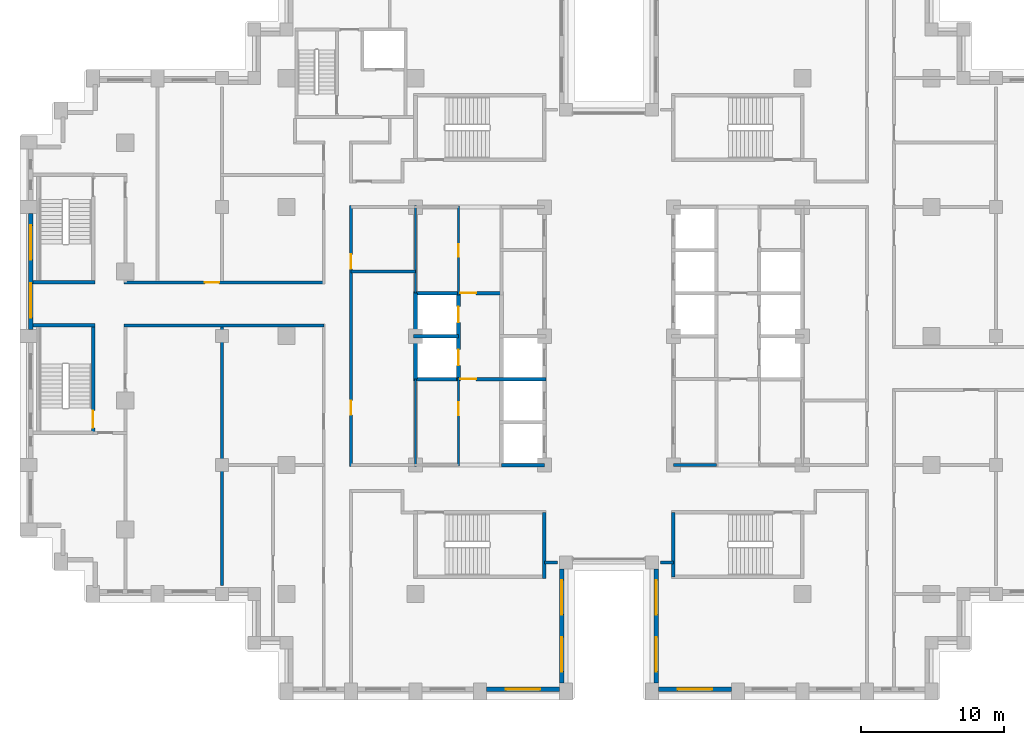
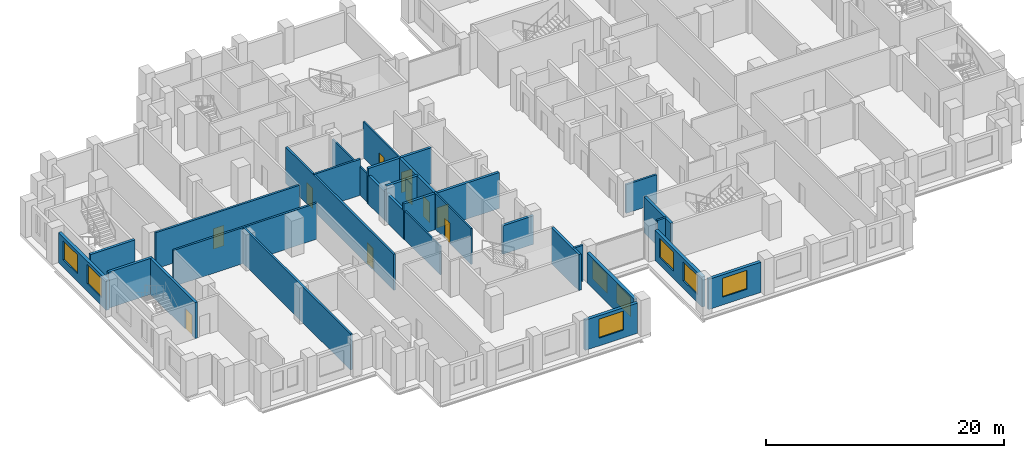
# One storey, part 7 of 15: 28 walls, 10 doors, 8 windows, 18 openings.
"""IFC4 building model written with IfcOpenShell, lengths in metres."""

import ifcopenshell
import ifcopenshell.guid

model = None  # the IFC model being written
_history = None  # IfcOwnerHistory: only IFC2X3 demands one
_inside = {}  # id of a spatial element -> (the spatial element, [elements in it])
_under = {}  # id of a project, library or spatial element -> (it, [spatial elements below it])
_declared = {}  # id of a project -> (the project, [libraries it declares])
_typed = {}  # id of a type object -> (the type object, [elements of that type])
_made_of = {}  # id of a material, layer set ... -> (it, [elements and type objects made of it])


def new_model(schema):
    """Start an empty IFC model of exactly this schema.

    Asked for "IFC4X3", IfcOpenShell would pick the latest addendum, in which some entities
    have other attributes; the version numbers below select the first issue.
    IFC2X3 requires an IfcOwnerHistory on every rooted entity: one is made here for all.
    """
    global model, _history
    if schema == "IFC4X3":
        model = ifcopenshell.file(schema_version=(4, 3, 0, 0))
    else:
        model = ifcopenshell.file(schema=schema)
    _inside.clear()
    _under.clear()
    _declared.clear()
    _typed.clear()
    _made_of.clear()
    _history = None
    if model.schema == "IFC2X3":
        org = make("IfcOrganization", Name="unknown")
        user = make(
            "IfcPersonAndOrganization",
            ThePerson=make("IfcPerson", FamilyName="unknown"),
            TheOrganization=org,
        )
        app = make(
            "IfcApplication",
            ApplicationDeveloper=org,
            Version="unknown",
            ApplicationFullName="unknown",
            ApplicationIdentifier="unknown",
        )
        _history = make(
            "IfcOwnerHistory",
            OwningUser=user,
            OwningApplication=app,
            ChangeAction="ADDED",
            CreationDate=0,
        )
    return model


def make(cls, **values):
    """One entity of the class cls with the attributes given. An attribute that is None is left unset."""
    return model.create_entity(
        cls, **{name: value for name, value in values.items() if value is not None}
    )


def rooted(cls, **values):
    """An entity with a GlobalId (a new one), such as an element, a storey or a relation."""
    return make(cls, GlobalId=ifcopenshell.guid.new(), OwnerHistory=_history, **values)


def si_unit(unit_type, name, prefix=None):
    """IfcSIUnit, for example si_unit("LENGTHUNIT", "METRE", prefix="MILLI")."""
    return make("IfcSIUnit", UnitType=unit_type, Prefix=prefix, Name=name)


def assignment(units):
    """IfcUnitAssignment: the units of a project."""
    return None if units is None else make("IfcUnitAssignment", Units=units)


def point(xyz):
    """IfcCartesianPoint."""
    return None if xyz is None else make("IfcCartesianPoint", Coordinates=xyz)


def direction(xyz):
    """IfcDirection."""
    return None if xyz is None else make("IfcDirection", DirectionRatios=xyz)


def frame(location, z_axis=None, x_axis=None):
    """IfcAxis2Placement3D, a coordinate frame: its origin and axes. An axis left out is left unset."""
    return make(
        "IfcAxis2Placement3D",
        Location=point(location),
        Axis=direction(z_axis),
        RefDirection=direction(x_axis),
    )


def frame_2d(location, x_axis=None):
    """IfcAxis2Placement2D, a coordinate frame in the plane: its origin and x axis."""
    return make(
        "IfcAxis2Placement2D", Location=point(location), RefDirection=direction(x_axis)
    )


def origin():
    """The frame at (0, 0, 0) with its axes left unset."""
    return frame((0.0, 0.0, 0.0))


def place(relative_to, where):
    """IfcLocalPlacement: puts the frame where relative to a parent placement (None: the world)."""
    return make(
        "IfcLocalPlacement", PlacementRelTo=relative_to, RelativePlacement=where
    )


def context(
    kind, dimensions, precision=None, world=None, true_north=None, identifier=None
):
    """IfcGeometricRepresentationContext, for example the 3D "Model" context."""
    return make(
        "IfcGeometricRepresentationContext",
        ContextIdentifier=identifier,
        ContextType=kind,
        CoordinateSpaceDimension=dimensions,
        Precision=precision,
        WorldCoordinateSystem=world,
        TrueNorth=true_north,
    )


def subcontext(parent, identifier, kind, view, scale=None):
    """IfcGeometricRepresentationSubContext, for example "Body" below "Model"."""
    return make(
        "IfcGeometricRepresentationSubContext",
        ContextIdentifier=identifier,
        ContextType=kind,
        ParentContext=parent,
        TargetScale=scale,
        TargetView=view,
    )


def project(units=None, contexts=None):
    """IfcProject with its units and contexts."""
    return rooted(
        "IfcProject",
        Name="project",
        RepresentationContexts=contexts,
        UnitsInContext=assignment(units),
    )


def spatial(cls, under=None, at=None, **own):
    """A site, building, storey or space (cls), placed at a placement, below another one or the project."""
    s = rooted(cls, ObjectPlacement=at, **own)
    if under is not None:
        _under.setdefault(under.id(), (under, []))[1].append(s)
    return s


def profile(cls, at=None, kind="AREA", **sizes):
    """A parametric profile (cls). Its sizes go by their IFC names, for example OverallWidth=200.0."""
    return make(cls, ProfileType=kind, Position=at, **sizes)


def rectangle(**sizes):
    """IfcRectangleProfileDef."""
    return profile("IfcRectangleProfileDef", **sizes)


def extrude(swept, where, along, depth):
    """IfcExtrudedAreaSolid: the profile swept, set in the frame where, extruded along a direction by depth."""
    return make(
        "IfcExtrudedAreaSolid",
        SweptArea=swept,
        Position=where,
        ExtrudedDirection=direction(along),
        Depth=depth,
    )


def shape(context_of_items, identifier, shape_type, items):
    """IfcShapeRepresentation: the items that make up one representation, for example the "Body"."""
    return make(
        "IfcShapeRepresentation",
        ContextOfItems=context_of_items,
        RepresentationIdentifier=identifier,
        RepresentationType=shape_type,
        Items=items,
    )


def material(Name=None, Category=None):
    """IfcMaterial."""
    return make("IfcMaterial", Name=Name, Category=Category)


def layer(
    of_material, thickness, ventilated=None, Name=None, Category=None, Priority=None
):
    """IfcMaterialLayer: one layer of a wall or slab, of a material (None: an air gap)."""
    return make(
        "IfcMaterialLayer",
        Material=of_material,
        LayerThickness=thickness,
        IsVentilated=ventilated,
        Name=Name,
        Category=Category,
        Priority=Priority,
    )


def layer_set(layers, Name=None):
    """IfcMaterialLayerSet."""
    return make("IfcMaterialLayerSet", MaterialLayers=layers, LayerSetName=Name)


def made_of(thing, what):
    """Note that an element or type object is made of a material, layer set ...; save() writes the relation."""
    if what is not None:
        _made_of.setdefault(what.id(), (what, []))[1].append(thing)
    return thing


def type_object(cls, material=None, **own):
    """A type object (cls), such as IfcWallType, which elements share."""
    return made_of(rooted(cls, **own), material)


def element(
    cls,
    number,
    at=None,
    inside=None,
    cuts=None,
    type_object=None,
    material=None,
    context=None,
    identifier="Body",
    shape_type=None,
    held_by="IfcProductDefinitionShape",
    body=None,
    shapes=None,
    **own,
):
    """One element of the class cls, such as IfcWall. Its Tag is "e" and its number.

    at: its placement. inside: the storey or other place that contains it. cuts: it is an
    opening in that element (IfcRelVoidsElement). A single representation is given by context,
    identifier, shape_type and body (its items); several are given by shapes. held_by: the class
    of the entity that holds the representations. save() writes the other relations.
    """
    e = rooted(cls, Tag="e%d" % number, ObjectPlacement=at, **own)
    if body is not None:
        shapes = [shape(context, identifier, shape_type, body)]
    if shapes is not None:
        e.Representation = make(held_by, Representations=shapes)
    if inside is not None:
        _inside.setdefault(inside.id(), (inside, []))[1].append(e)
    if cuts is not None:
        rooted(
            "IfcRelVoidsElement", RelatingBuildingElement=cuts, RelatedOpeningElement=e
        )
    if type_object is not None:
        _typed.setdefault(type_object.id(), (type_object, []))[1].append(e)
    return made_of(e, material)


def fill(opening, filler):
    """IfcRelFillsElement: the door or window that sits in an opening."""
    return rooted(
        "IfcRelFillsElement",
        RelatingOpeningElement=opening,
        RelatedBuildingElement=filler,
    )


def aggregate(whole, parts):
    """IfcRelAggregates: a whole, such as a stair, and the parts it consists of."""
    return rooted("IfcRelAggregates", RelatingObject=whole, RelatedObjects=parts)


def save(model, path):
    """Write the relations noted so far, then the file.

    IfcRelAggregates (storeys below a building ...), IfcRelContainedInSpatialStructure (elements
    in a storey), IfcRelDefinesByType, IfcRelAssociatesMaterial and IfcRelDeclares: one each for
    every whole, place, type object, material and project.
    """
    for whole, parts in _under.values():
        aggregate(whole, parts)
    for where, things in _inside.values():
        rooted(
            "IfcRelContainedInSpatialStructure",
            RelatedElements=things,
            RelatingStructure=where,
        )
    for kind, things in _typed.values():
        rooted("IfcRelDefinesByType", RelatedObjects=things, RelatingType=kind)
    for what, things in _made_of.values():
        rooted("IfcRelAssociatesMaterial", RelatedObjects=things, RelatingMaterial=what)
    for by, libraries in _declared.values():
        rooted("IfcRelDeclares", RelatingContext=by, RelatedDefinitions=libraries)
    model.write(path)


model = new_model("IFC4")

# Units and contexts
model_context = context("Model", 3, precision=1e-05, world=origin(), true_north=direction((0.0, 1.0)))
body_context = subcontext(model_context, "Body", "Model", "MODEL_VIEW")
ifc_project = project(units=[si_unit("LENGTHUNIT", "METRE"), si_unit("AREAUNIT", "SQUARE_METRE"), si_unit("VOLUMEUNIT", "CUBIC_METRE"), si_unit("PLANEANGLEUNIT", "RADIAN"), si_unit("MASSUNIT", "GRAM", prefix="KILO")], contexts=[model_context])

# Site, building, storey
site_placement = place(None, origin())
site = spatial("IfcSite", under=ifc_project, at=site_placement, CompositionType="ELEMENT")
building_placement = place(site_placement, origin())
building = spatial("IfcBuilding", under=site, at=building_placement, Name="Corbelhall Arena Tower", CompositionType="ELEMENT")
storey_placement = place(building_placement, frame((0.0, 0.0, 92.0)))
storey = spatial("IfcBuildingStorey", under=building, at=storey_placement, Name="L15", CompositionType="ELEMENT", Elevation=92.0)

# Wall, openings, windows
ifc_material_1 = material(Name="Precast concrete C40/50 with granite facing", Category="masonry")
ifc_layer_1 = layer(ifc_material_1, 0.300048828125)
ifc_layer_set_1 = layer_set([ifc_layer_1], Name="EV-IW1 Infill panel 300")
wall_type_1 = type_object("IfcWallType", Name="EV-IW1 Infill panel 300", PredefinedType="SOLIDWALL", material=ifc_layer_set_1)
wall_1_placement = place(storey_placement, frame((-40.35009765625, 8.550048828125, 0.0), z_axis=(0.0, 0.0, 1.0), x_axis=(0.0, -1.0, 0.0)))
wall_1 = element("IfcWall", 1, at=wall_1_placement, inside=storey, type_object=wall_type_1, Name="Infill panel IW1", PredefinedType="SOLIDWALL", context=body_context, shape_type="SweptSolid", body=[
    extrude(rectangle(XDim=8.10009765625, YDim=0.300048828125, at=frame_2d((4.050048828125, 0.0))), origin(), (0.0, 0.0, 1.0), 3.10009765625),
])
opening_1_placement = place(wall_1_placement, frame((0.824951171875, 0.0, 0.800048828125)))
opening_1 = element("IfcOpeningElement", 2, at=opening_1_placement, cuts=wall_1, Name="Opening WN1", PredefinedType="OPENING", context=body_context, shape_type="SweptSolid", body=[
    extrude(rectangle(XDim=2.39990234375, YDim=1.949951171875, at=frame_2d((1.199951171875, 0.97509765625))), frame((0.0, 0.14990234375, 0.0), z_axis=(0.0, -1.0, 0.0), x_axis=(1.0, 0.0, 0.0)), (0.0, 0.0, 1.0), 0.300048828125),
])
opening_2_placement = place(wall_1_placement, frame((4.875, 0.0, 0.800048828125)))
opening_2 = element("IfcOpeningElement", 3, at=opening_2_placement, cuts=wall_1, Name="Opening WN1", PredefinedType="OPENING", context=body_context, shape_type="SweptSolid", body=[
    extrude(rectangle(XDim=2.39990234375, YDim=1.949951171875, at=frame_2d((1.199951171875, 0.97509765625))), frame((0.0, 0.14990234375, 0.0), z_axis=(0.0, -1.0, 0.0), x_axis=(1.0, 0.0, 0.0)), (0.0, 0.0, 1.0), 0.300048828125),
])
ifc_material_2 = material(Name="Aluminium black anodised", Category="aluminium")
window_type = type_object("IfcWindowType", Name="EV-WN1 Office window", PartitioningType="SINGLE_PANEL", PredefinedType="WINDOW", material=ifc_material_2)
window_1_placement = place(opening_1_placement, origin())
window_1 = element("IfcWindow", 4, at=window_1_placement, inside=storey, type_object=window_type, Name="Window WN1", OverallHeight=1.949951171875, OverallWidth=2.39990234375, PartitioningType="SINGLE_PANEL", PredefinedType="WINDOW", context=body_context, shape_type="SweptSolid", body=[
    extrude(rectangle(XDim=2.39990234375, YDim=1.949951171875, at=frame_2d((1.199951171875, 0.97509765625))), frame((0.0, 0.030029296875, 0.0), z_axis=(0.0, -1.0, 0.0), x_axis=(1.0, 0.0, 0.0)), (0.0, 0.0, 1.0), 0.06005859375),
])
fill(opening_1, window_1)
window_2_placement = place(opening_2_placement, origin())
window_2 = element("IfcWindow", 5, at=window_2_placement, inside=storey, type_object=window_type, Name="Window WN1", OverallHeight=1.949951171875, OverallWidth=2.39990234375, PartitioningType="SINGLE_PANEL", PredefinedType="WINDOW", context=body_context, shape_type="SweptSolid", body=[
    extrude(rectangle(XDim=2.39990234375, YDim=1.949951171875, at=frame_2d((1.199951171875, 0.97509765625))), frame((0.0, 0.030029296875, 0.0), z_axis=(0.0, -1.0, 0.0), x_axis=(1.0, 0.0, 0.0)), (0.0, 0.0, 1.0), 0.06005859375),
])
fill(opening_2, window_2)

# Wall, opening, window
wall_2_placement = place(storey_placement, frame((-8.550048828125, -24.64990234375, 0.0), z_axis=(0.0, 0.0, 1.0), x_axis=(1.0, 0.0, 0.0)))
wall_2 = element("IfcWall", 6, at=wall_2_placement, inside=storey, type_object=wall_type_1, Name="Infill panel IW1", PredefinedType="SOLIDWALL", context=body_context, shape_type="SweptSolid", body=[
    extrude(rectangle(XDim=5.10009765625, YDim=0.300048828125, at=frame_2d((2.550048828125, 0.0))), origin(), (0.0, 0.0, 1.0), 3.10009765625),
])
opening_3_placement = place(wall_2_placement, frame((1.35009765625, 0.0, 0.800048828125)))
opening_3 = element("IfcOpeningElement", 7, at=opening_3_placement, cuts=wall_2, Name="Opening WN1", PredefinedType="OPENING", context=body_context, shape_type="SweptSolid", body=[
    extrude(rectangle(XDim=2.39990234375, YDim=1.949951171875, at=frame_2d((1.199951171875, 0.97509765625))), frame((0.0, 0.14990234375, 0.0), z_axis=(0.0, -1.0, 0.0), x_axis=(1.0, 0.0, 0.0)), (0.0, 0.0, 1.0), 0.300048828125),
])
window_3_placement = place(opening_3_placement, origin())
window_3 = element("IfcWindow", 8, at=window_3_placement, inside=storey, type_object=window_type, Name="Window WN1", OverallHeight=1.949951171875, OverallWidth=2.39990234375, PartitioningType="SINGLE_PANEL", PredefinedType="WINDOW", context=body_context, shape_type="SweptSolid", body=[
    extrude(rectangle(XDim=2.39990234375, YDim=1.949951171875, at=frame_2d((1.199951171875, 0.97509765625))), frame((0.0, 0.030029296875, 0.0), z_axis=(0.0, -1.0, 0.0), x_axis=(1.0, 0.0, 0.0)), (0.0, 0.0, 1.0), 0.06005859375),
])
fill(opening_3, window_3)

# Wall, openings, windows
wall_3_placement = place(storey_placement, frame((-3.300048828125, -24.199951171875, 0.0), z_axis=(0.0, 0.0, 1.0), x_axis=(0.0, 1.0, 0.0)))
wall_3 = element("IfcWall", 9, at=wall_3_placement, inside=storey, type_object=wall_type_1, Name="Infill panel IW1", PredefinedType="SOLIDWALL", context=body_context, shape_type="SweptSolid", body=[
    extrude(rectangle(XDim=7.949951171875, YDim=0.300048828125, at=frame_2d((3.97509765625, 0.0))), origin(), (0.0, 0.0, 1.0), 3.10009765625),
])
opening_4_placement = place(wall_3_placement, frame((0.78759765625, 0.0, 0.800048828125)))
opening_4 = element("IfcOpeningElement", 10, at=opening_4_placement, cuts=wall_3, Name="Opening WN1", PredefinedType="OPENING", context=body_context, shape_type="SweptSolid", body=[
    extrude(rectangle(XDim=2.39990234375, YDim=1.949951171875, at=frame_2d((1.199951171875, 0.97509765625))), frame((0.0, 0.14990234375, 0.0), z_axis=(0.0, -1.0, 0.0), x_axis=(1.0, 0.0, 0.0)), (0.0, 0.0, 1.0), 0.300048828125),
])
opening_5_placement = place(wall_3_placement, frame((4.762451171875, 0.0, 0.800048828125)))
opening_5 = element("IfcOpeningElement", 11, at=opening_5_placement, cuts=wall_3, Name="Opening WN1", PredefinedType="OPENING", context=body_context, shape_type="SweptSolid", body=[
    extrude(rectangle(XDim=2.39990234375, YDim=1.949951171875, at=frame_2d((1.199951171875, 0.97509765625))), frame((0.0, 0.14990234375, 0.0), z_axis=(0.0, -1.0, 0.0), x_axis=(1.0, 0.0, 0.0)), (0.0, 0.0, 1.0), 0.300048828125),
])
window_4_placement = place(opening_4_placement, origin())
window_4 = element("IfcWindow", 12, at=window_4_placement, inside=storey, type_object=window_type, Name="Window WN1", OverallHeight=1.949951171875, OverallWidth=2.39990234375, PartitioningType="SINGLE_PANEL", PredefinedType="WINDOW", context=body_context, shape_type="SweptSolid", body=[
    extrude(rectangle(XDim=2.39990234375, YDim=1.949951171875, at=frame_2d((1.199951171875, 0.97509765625))), frame((0.0, 0.030029296875, 0.0), z_axis=(0.0, -1.0, 0.0), x_axis=(1.0, 0.0, 0.0)), (0.0, 0.0, 1.0), 0.06005859375),
])
fill(opening_4, window_4)
window_5_placement = place(opening_5_placement, origin())
window_5 = element("IfcWindow", 13, at=window_5_placement, inside=storey, type_object=window_type, Name="Window WN1", OverallHeight=1.949951171875, OverallWidth=2.39990234375, PartitioningType="SINGLE_PANEL", PredefinedType="WINDOW", context=body_context, shape_type="SweptSolid", body=[
    extrude(rectangle(XDim=2.39990234375, YDim=1.949951171875, at=frame_2d((1.199951171875, 0.97509765625))), frame((0.0, 0.030029296875, 0.0), z_axis=(0.0, -1.0, 0.0), x_axis=(1.0, 0.0, 0.0)), (0.0, 0.0, 1.0), 0.06005859375),
])
fill(opening_5, window_5)

wall_4_placement = place(storey_placement, frame((3.300048828125, -16.25, 0.0), z_axis=(0.0, 0.0, 1.0), x_axis=(0.0, -1.0, 0.0)))
wall_4 = element("IfcWall", 14, at=wall_4_placement, inside=storey, type_object=wall_type_1, Name="Infill panel IW1", PredefinedType="SOLIDWALL", context=body_context, shape_type="SweptSolid", body=[
    extrude(rectangle(XDim=7.949951171875, YDim=0.300048828125, at=frame_2d((3.97509765625, 0.0))), origin(), (0.0, 0.0, 1.0), 3.10009765625),
])
opening_6_placement = place(wall_4_placement, frame((0.78759765625, 0.0, 0.800048828125)))
opening_6 = element("IfcOpeningElement", 15, at=opening_6_placement, cuts=wall_4, Name="Opening WN1", PredefinedType="OPENING", context=body_context, shape_type="SweptSolid", body=[
    extrude(rectangle(XDim=2.39990234375, YDim=1.949951171875, at=frame_2d((1.199951171875, 0.97509765625))), frame((0.0, 0.14990234375, 0.0), z_axis=(0.0, -1.0, 0.0), x_axis=(1.0, 0.0, 0.0)), (0.0, 0.0, 1.0), 0.300048828125),
])
opening_7_placement = place(wall_4_placement, frame((4.762451171875, 0.0, 0.800048828125)))
opening_7 = element("IfcOpeningElement", 16, at=opening_7_placement, cuts=wall_4, Name="Opening WN1", PredefinedType="OPENING", context=body_context, shape_type="SweptSolid", body=[
    extrude(rectangle(XDim=2.39990234375, YDim=1.949951171875, at=frame_2d((1.199951171875, 0.97509765625))), frame((0.0, 0.14990234375, 0.0), z_axis=(0.0, -1.0, 0.0), x_axis=(1.0, 0.0, 0.0)), (0.0, 0.0, 1.0), 0.300048828125),
])
window_6_placement = place(opening_6_placement, origin())
window_6 = element("IfcWindow", 17, at=window_6_placement, inside=storey, type_object=window_type, Name="Window WN1", OverallHeight=1.949951171875, OverallWidth=2.39990234375, PartitioningType="SINGLE_PANEL", PredefinedType="WINDOW", context=body_context, shape_type="SweptSolid", body=[
    extrude(rectangle(XDim=2.39990234375, YDim=1.949951171875, at=frame_2d((1.199951171875, 0.97509765625))), frame((0.0, 0.030029296875, 0.0), z_axis=(0.0, -1.0, 0.0), x_axis=(1.0, 0.0, 0.0)), (0.0, 0.0, 1.0), 0.06005859375),
])
fill(opening_6, window_6)
window_7_placement = place(opening_7_placement, origin())
window_7 = element("IfcWindow", 18, at=window_7_placement, inside=storey, type_object=window_type, Name="Window WN1", OverallHeight=1.949951171875, OverallWidth=2.39990234375, PartitioningType="SINGLE_PANEL", PredefinedType="WINDOW", context=body_context, shape_type="SweptSolid", body=[
    extrude(rectangle(XDim=2.39990234375, YDim=1.949951171875, at=frame_2d((1.199951171875, 0.97509765625))), frame((0.0, 0.030029296875, 0.0), z_axis=(0.0, -1.0, 0.0), x_axis=(1.0, 0.0, 0.0)), (0.0, 0.0, 1.0), 0.06005859375),
])
fill(opening_7, window_7)

# Wall, opening, window
wall_5_placement = place(storey_placement, frame((3.449951171875, -24.64990234375, 0.0), z_axis=(0.0, 0.0, 1.0), x_axis=(1.0, 0.0, 0.0)))
wall_5 = element("IfcWall", 19, at=wall_5_placement, inside=storey, type_object=wall_type_1, Name="Infill panel IW1", PredefinedType="SOLIDWALL", context=body_context, shape_type="SweptSolid", body=[
    extrude(rectangle(XDim=5.10009765625, YDim=0.300048828125, at=frame_2d((2.550048828125, 0.0))), origin(), (0.0, 0.0, 1.0), 3.10009765625),
])
opening_8_placement = place(wall_5_placement, frame((1.35009765625, 0.0, 0.800048828125)))
opening_8 = element("IfcOpeningElement", 20, at=opening_8_placement, cuts=wall_5, Name="Opening WN1", PredefinedType="OPENING", context=body_context, shape_type="SweptSolid", body=[
    extrude(rectangle(XDim=2.39990234375, YDim=1.949951171875, at=frame_2d((1.199951171875, 0.97509765625))), frame((0.0, 0.14990234375, 0.0), z_axis=(0.0, -1.0, 0.0), x_axis=(1.0, 0.0, 0.0)), (0.0, 0.0, 1.0), 0.300048828125),
])
window_8_placement = place(opening_8_placement, origin())
window_8 = element("IfcWindow", 21, at=window_8_placement, inside=storey, type_object=window_type, Name="Window WN1", OverallHeight=1.949951171875, OverallWidth=2.39990234375, PartitioningType="SINGLE_PANEL", PredefinedType="WINDOW", context=body_context, shape_type="SweptSolid", body=[
    extrude(rectangle(XDim=2.39990234375, YDim=1.949951171875, at=frame_2d((1.199951171875, 0.97509765625))), frame((0.0, 0.030029296875, 0.0), z_axis=(0.0, -1.0, 0.0), x_axis=(1.0, 0.0, 0.0)), (0.0, 0.0, 1.0), 0.06005859375),
])
fill(opening_8, window_8)

# Wall, opening, door
ifc_material_3 = material(Name="Gypsum board on steel stud, acoustic", Category="steel")
ifc_layer_2 = layer(ifc_material_3, 0.199951171875)
ifc_layer_set_2 = layer_set([ifc_layer_2], Name="IN-W-DM200")
wall_type_2 = type_object("IfcWallType", Name="IN-W-DM200", PredefinedType="PARTITIONING", material=ifc_layer_set_2)
wall_6_placement = place(storey_placement, frame((-33.85009765625, 3.75, 0.0), z_axis=(0.0, 0.0, 1.0), x_axis=(1.0, 0.0, 0.0)))
wall_6 = element("IfcWall", 22, at=wall_6_placement, inside=storey, type_object=wall_type_2, Name="Partition 002", PredefinedType="PARTITIONING", context=body_context, shape_type="SweptSolid", body=[
    extrude(rectangle(XDim=13.9501953125, YDim=0.199951171875, at=frame_2d((6.97509765625, 0.0))), origin(), (0.0, 0.0, 1.0), 3.699951171875),
])
opening_9_placement = place(wall_6_placement, frame((5.64990234375, 0.0, 0.0)))
opening_9 = element("IfcOpeningElement", 23, at=opening_9_placement, cuts=wall_6, Name="Opening 03042", PredefinedType="OPENING", context=body_context, shape_type="SweptSolid", body=[
    extrude(rectangle(XDim=1.0, YDim=2.10009765625, at=frame_2d((0.5, 1.050048828125))), frame((0.0, 0.10009765625, 0.0), z_axis=(0.0, -1.0, 0.0), x_axis=(1.0, 0.0, 0.0)), (0.0, 0.0, 1.0), 0.199951171875),
])
ifc_material_4 = material(Name="Steel door set", Category="steel")
door_type_1 = type_object("IfcDoorType", Name="IN-D-SW100", OperationType="NOTDEFINED", PredefinedType="DOOR", material=ifc_material_4)
door_1_placement = place(opening_9_placement, origin())
door_1 = element("IfcDoor", 24, at=door_1_placement, inside=storey, type_object=door_type_1, Name="Door 042", OperationType="SINGLE_SWING_LEFT", OverallHeight=2.10009765625, OverallWidth=1.0, PredefinedType="DOOR", context=body_context, shape_type="SweptSolid", body=[
    extrude(rectangle(XDim=1.0, YDim=2.10009765625, at=frame_2d((0.5, 1.050048828125))), frame((0.0, 0.02490234375, 0.0), z_axis=(0.0, -1.0, 0.0), x_axis=(1.0, 0.0, 0.0)), (0.0, 0.0, 1.0), 0.050048828125),
])
fill(opening_9, door_1)

# Walls
wall_7_placement = place(storey_placement, frame((-27.0, -17.39990234375, 0.0), z_axis=(0.0, 0.0, 1.0), x_axis=(0.0, 1.0, 0.0)))
element("IfcWall", 25, at=wall_7_placement, inside=storey, type_object=wall_type_2, Name="Partition 009", PredefinedType="PARTITIONING", context=body_context, shape_type="SweptSolid", body=[
    extrude(rectangle(XDim=18.14990234375, YDim=0.199951171875, at=frame_2d((9.074951171875, 0.0))), origin(), (0.0, 0.0, 1.0), 3.699951171875),
])
wall_8_placement = place(storey_placement, frame((-19.89990234375, 0.75, 0.0), z_axis=(0.0, 0.0, 1.0), x_axis=(-1.0, 0.0, 0.0)))
element("IfcWall", 26, at=wall_8_placement, inside=storey, type_object=wall_type_2, Name="Partition 011", PredefinedType="PARTITIONING", context=body_context, shape_type="SweptSolid", body=[
    extrude(rectangle(XDim=13.9501953125, YDim=0.199951171875, at=frame_2d((6.97509765625, 0.0))), origin(), (0.0, 0.0, 1.0), 3.699951171875),
])
wall_9_placement = place(storey_placement, frame((-18.0, 4.5, 0.0), z_axis=(0.0, 0.0, 1.0), x_axis=(1.0, 0.0, 0.0)))
element("IfcWall", 27, at=wall_9_placement, inside=storey, type_object=wall_type_2, Name="Partition 019", PredefinedType="PARTITIONING", context=body_context, shape_type="SweptSolid", body=[
    extrude(rectangle(XDim=4.5, YDim=0.199951171875, at=frame_2d((2.25, 0.0))), origin(), (0.0, 0.0, 1.0), 3.699951171875),
])

# Wall, openings, doors
wall_10_placement = place(storey_placement, frame((-18.0, 9.10009765625, 0.0), z_axis=(0.0, 0.0, 1.0), x_axis=(0.0, -1.0, 0.0)))
wall_10 = element("IfcWall", 28, at=wall_10_placement, inside=storey, type_object=wall_type_2, Name="Partition 020", PredefinedType="PARTITIONING", context=body_context, shape_type="SweptSolid", body=[
    extrude(rectangle(XDim=18.2001953125, YDim=0.199951171875, at=frame_2d((9.10009765625, 0.0))), origin(), (0.0, 0.0, 1.0), 3.699951171875),
])
opening_10_placement = place(wall_10_placement, frame((13.60009765625, 0.0, 0.0)))
opening_10 = element("IfcOpeningElement", 29, at=opening_10_placement, cuts=wall_10, Name="Opening 03021", PredefinedType="OPENING", context=body_context, shape_type="SweptSolid", body=[
    extrude(rectangle(XDim=1.0, YDim=2.10009765625, at=frame_2d((0.5, 1.050048828125))), frame((0.0, 0.10009765625, 0.0), z_axis=(0.0, -1.0, 0.0), x_axis=(1.0, 0.0, 0.0)), (0.0, 0.0, 1.0), 0.199951171875),
])
opening_11_placement = place(wall_10_placement, frame((3.39990234375, 0.0, 0.0)))
opening_11 = element("IfcOpeningElement", 30, at=opening_11_placement, cuts=wall_10, Name="Opening 03022", PredefinedType="OPENING", context=body_context, shape_type="SweptSolid", body=[
    extrude(rectangle(XDim=1.0, YDim=2.10009765625, at=frame_2d((0.5, 1.050048828125))), frame((0.0, 0.10009765625, 0.0), z_axis=(0.0, -1.0, 0.0), x_axis=(1.0, 0.0, 0.0)), (0.0, 0.0, 1.0), 0.199951171875),
])
door_2_placement = place(opening_10_placement, origin())
door_2 = element("IfcDoor", 31, at=door_2_placement, inside=storey, type_object=door_type_1, Name="Door 021", OperationType="SINGLE_SWING_RIGHT", OverallHeight=2.10009765625, OverallWidth=1.0, PredefinedType="DOOR", context=body_context, shape_type="SweptSolid", body=[
    extrude(rectangle(XDim=1.0, YDim=2.10009765625, at=frame_2d((0.5, 1.050048828125))), frame((0.0, 0.02490234375, 0.0), z_axis=(0.0, -1.0, 0.0), x_axis=(1.0, 0.0, 0.0)), (0.0, 0.0, 1.0), 0.050048828125),
])
fill(opening_10, door_2)
door_3_placement = place(opening_11_placement, origin())
door_3 = element("IfcDoor", 32, at=door_3_placement, inside=storey, type_object=door_type_1, Name="Door 022", OperationType="SINGLE_SWING_LEFT", OverallHeight=2.10009765625, OverallWidth=1.0, PredefinedType="DOOR", context=body_context, shape_type="SweptSolid", body=[
    extrude(rectangle(XDim=1.0, YDim=2.10009765625, at=frame_2d((0.5, 1.050048828125))), frame((0.0, 0.02490234375, 0.0), z_axis=(0.0, -1.0, 0.0), x_axis=(1.0, 0.0, 0.0)), (0.0, 0.0, 1.0), 0.050048828125),
])
fill(opening_11, door_3)

# Walls
for number, where, z_axis, x_axis, name in (
    (33, (-3.60009765625, -15.800048828125, 0.0), (0.0, 0.0, 1.0), (-1.0, 0.0, 0.0), "Partition 033"),
    (34, (4.5, -15.800048828125, 0.0), (0.0, 0.0, 1.0), (-1.0, 0.0, 0.0), "Partition 035"),
):
    element("IfcWall", number, at=place(storey_placement, frame(where, z_axis=z_axis, x_axis=x_axis)), inside=storey, type_object=wall_type_2, Name=name, PredefinedType="PARTITIONING", context=body_context, shape_type="SweptSolid", body=[
        extrude(rectangle(XDim=0.89990234375, YDim=0.199951171875, at=frame_2d((0.449951171875, 0.0))), origin(), (0.0, 0.0, 1.0), 3.699951171875),
    ])
ifc_material_5 = material(Name="Concrete block wall", Category="concrete")
ifc_layer_3 = layer(ifc_material_5, 0.199951171875)
ifc_layer_set_3 = layer_set([ifc_layer_3], Name="IN-W-RS200 under beam 762 mm")
wall_type_3 = type_object("IfcWallType", Name="IN-W-RS200 under beam 762 mm", PredefinedType="SOLIDWALL", material=ifc_layer_set_3)
wall_11_placement = place(storey_placement, frame((7.5, -9.0, 0.0), z_axis=(0.0, 0.0, 1.0), x_axis=(-1.0, 0.0, 0.0)))
element("IfcWall", 35, at=wall_11_placement, inside=storey, type_object=wall_type_3, Name="Partition 069", PredefinedType="SOLIDWALL", context=body_context, shape_type="SweptSolid", body=[
    extrude(rectangle(XDim=3.0, YDim=0.199951171875, at=frame_2d((1.5, 0.0))), origin(), (0.0, 0.0, 1.0), 2.93798828125),
])
ifc_material_6 = material(Name="Concrete C40/50", Category="concrete")
ifc_layer_4 = layer(ifc_material_6, 0.25)
ifc_layer_set_4 = layer_set([ifc_layer_4], Name="IN-W-SH250")
wall_type_4 = type_object("IfcWallType", Name="IN-W-SH250", PredefinedType="SOLIDWALL", material=ifc_layer_set_4)
wall_12_placement = place(storey_placement, frame((-13.625, 0.0, 0.0), z_axis=(0.0, 0.0, 1.0), x_axis=(1.0, 0.0, 0.0)))
element("IfcWall", 36, at=wall_12_placement, inside=storey, type_object=wall_type_4, Name="Shaft wall 074", PredefinedType="SOLIDWALL", context=body_context, shape_type="SweptSolid", body=[
    extrude(rectangle(XDim=3.125, YDim=0.25, at=frame_2d((1.5625, 0.0))), origin(), (0.0, 0.0, 1.0), 3.699951171875),
])

# Wall, opening, door
wall_13_placement = place(storey_placement, frame((-13.625, 3.0, 0.0), z_axis=(0.0, 0.0, 1.0), x_axis=(1.0, 0.0, 0.0)))
wall_13 = element("IfcWall", 37, at=wall_13_placement, inside=storey, type_object=wall_type_4, Name="Shaft wall 075", PredefinedType="SOLIDWALL", context=body_context, shape_type="SweptSolid", body=[
    extrude(rectangle(XDim=6.125, YDim=0.25, at=frame_2d((3.0625, 0.0))), origin(), (0.0, 0.0, 1.0), 3.699951171875),
])
opening_12_placement = place(wall_13_placement, frame((3.25, 0.0, 0.0)))
opening_12 = element("IfcOpeningElement", 38, at=opening_12_placement, cuts=wall_13, Name="Opening 03004", PredefinedType="OPENING", context=body_context, shape_type="SweptSolid", body=[
    extrude(rectangle(XDim=1.10009765625, YDim=2.10009765625, at=frame_2d((0.550048828125, 1.050048828125))), frame((0.0, 0.125, 0.0), z_axis=(0.0, -1.0, 0.0), x_axis=(1.0, 0.0, 0.0)), (0.0, 0.0, 1.0), 0.25),
])
door_type_2 = type_object("IfcDoorType", Name="IN-D-FD110", OperationType="NOTDEFINED", PredefinedType="DOOR", material=ifc_material_4)
door_4_placement = place(opening_12_placement, origin())
door_4 = element("IfcDoor", 39, at=door_4_placement, inside=storey, type_object=door_type_2, Name="Door 004", OperationType="SINGLE_SWING_LEFT", OverallHeight=2.10009765625, OverallWidth=1.10009765625, PredefinedType="DOOR", context=body_context, shape_type="SweptSolid", body=[
    extrude(rectangle(XDim=1.10009765625, YDim=2.10009765625, at=frame_2d((0.550048828125, 1.050048828125))), frame((0.0, 0.02490234375, 0.0), z_axis=(0.0, -1.0, 0.0), x_axis=(1.0, 0.0, 0.0)), (0.0, 0.0, 1.0), 0.050048828125),
])
fill(opening_12, door_4)

wall_14_placement = place(storey_placement, frame((-13.625, -3.0, 0.0), z_axis=(0.0, 0.0, 1.0), x_axis=(1.0, 0.0, 0.0)))
wall_14 = element("IfcWall", 40, at=wall_14_placement, inside=storey, type_object=wall_type_4, Name="Shaft wall 077", PredefinedType="SOLIDWALL", context=body_context, shape_type="SweptSolid", body=[
    extrude(rectangle(XDim=9.25, YDim=0.25, at=frame_2d((4.625, 0.0))), origin(), (0.0, 0.0, 1.0), 3.699951171875),
])
opening_13_placement = place(wall_14_placement, frame((3.25, 0.0, 0.0)))
opening_13 = element("IfcOpeningElement", 41, at=opening_13_placement, cuts=wall_14, Name="Opening 03003", PredefinedType="OPENING", context=body_context, shape_type="SweptSolid", body=[
    extrude(rectangle(XDim=1.10009765625, YDim=2.10009765625, at=frame_2d((0.550048828125, 1.050048828125))), frame((0.0, 0.125, 0.0), z_axis=(0.0, -1.0, 0.0), x_axis=(1.0, 0.0, 0.0)), (0.0, 0.0, 1.0), 0.25),
])
door_5_placement = place(opening_13_placement, origin())
door_5 = element("IfcDoor", 42, at=door_5_placement, inside=storey, type_object=door_type_2, Name="Door 003", OperationType="SINGLE_SWING_RIGHT", OverallHeight=2.10009765625, OverallWidth=1.10009765625, PredefinedType="DOOR", context=body_context, shape_type="SweptSolid", body=[
    extrude(rectangle(XDim=1.10009765625, YDim=2.10009765625, at=frame_2d((0.550048828125, 1.050048828125))), frame((0.0, 0.02490234375, 0.0), z_axis=(0.0, -1.0, 0.0), x_axis=(1.0, 0.0, 0.0)), (0.0, 0.0, 1.0), 0.050048828125),
])
fill(opening_13, door_5)

# Wall, openings, doors
wall_15_placement = place(storey_placement, frame((-10.5, -3.125, 0.0), z_axis=(0.0, 0.0, 1.0), x_axis=(0.0, 1.0, 0.0)))
wall_15 = element("IfcWall", 43, at=wall_15_placement, inside=storey, type_object=wall_type_4, Name="Shaft wall 078", PredefinedType="SOLIDWALL", context=body_context, shape_type="SweptSolid", body=[
    extrude(rectangle(XDim=6.25, YDim=0.25, at=frame_2d((3.125, 0.0))), origin(), (0.0, 0.0, 1.0), 3.699951171875),
])
opening_14_placement = place(wall_15_placement, frame((1.074951171875, 0.0, 0.0)))
opening_14 = element("IfcOpeningElement", 44, at=opening_14_placement, cuts=wall_15, Name="Opening LD", PredefinedType="OPENING", context=body_context, shape_type="SweptSolid", body=[
    extrude(rectangle(XDim=1.10009765625, YDim=2.10009765625, at=frame_2d((0.550048828125, 1.050048828125))), frame((0.0, 0.125, 0.0), z_axis=(0.0, -1.0, 0.0), x_axis=(1.0, 0.0, 0.0)), (0.0, 0.0, 1.0), 0.25),
])
opening_15_placement = place(wall_15_placement, frame((4.074951171875, 0.0, 0.0)))
opening_15 = element("IfcOpeningElement", 45, at=opening_15_placement, cuts=wall_15, Name="Opening LD", PredefinedType="OPENING", context=body_context, shape_type="SweptSolid", body=[
    extrude(rectangle(XDim=1.10009765625, YDim=2.10009765625, at=frame_2d((0.550048828125, 1.050048828125))), frame((0.0, 0.125, 0.0), z_axis=(0.0, -1.0, 0.0), x_axis=(1.0, 0.0, 0.0)), (0.0, 0.0, 1.0), 0.25),
])
door_type_3 = type_object("IfcDoorType", Name="IN-D-LD110", OperationType="NOTDEFINED", PredefinedType="DOOR", material=ifc_material_4)
door_6_placement = place(opening_14_placement, origin())
door_6 = element("IfcDoor", 46, at=door_6_placement, inside=storey, type_object=door_type_3, Name="Landing door W3", OperationType="SLIDING_TO_LEFT", OverallHeight=2.10009765625, OverallWidth=1.10009765625, PredefinedType="DOOR", context=body_context, shape_type="SweptSolid", body=[
    extrude(rectangle(XDim=1.10009765625, YDim=2.10009765625, at=frame_2d((0.550048828125, 1.050048828125))), frame((0.0, 0.02490234375, 0.0), z_axis=(0.0, -1.0, 0.0), x_axis=(1.0, 0.0, 0.0)), (0.0, 0.0, 1.0), 0.050048828125),
])
fill(opening_14, door_6)
door_7_placement = place(opening_15_placement, origin())
door_7 = element("IfcDoor", 47, at=door_7_placement, inside=storey, type_object=door_type_3, Name="Landing door W4", OperationType="SLIDING_TO_LEFT", OverallHeight=2.10009765625, OverallWidth=1.10009765625, PredefinedType="DOOR", context=body_context, shape_type="SweptSolid", body=[
    extrude(rectangle(XDim=1.10009765625, YDim=2.10009765625, at=frame_2d((0.550048828125, 1.050048828125))), frame((0.0, 0.02490234375, 0.0), z_axis=(0.0, -1.0, 0.0), x_axis=(1.0, 0.0, 0.0)), (0.0, 0.0, 1.0), 0.050048828125),
])
fill(opening_15, door_7)

# Walls
ifc_layer_5 = layer(ifc_material_6, 0.25)
ifc_layer_set_5 = layer_set([ifc_layer_5], Name="IN-W-SH250 under beam 762 mm")
wall_type_5 = type_object("IfcWallType", Name="IN-W-SH250 under beam 762 mm", PredefinedType="SOLIDWALL", material=ifc_layer_set_5)
wall_16_placement = place(storey_placement, frame((-13.5, -3.0, 0.0), z_axis=(0.0, 0.0, 1.0), x_axis=(0.0, 1.0, 0.0)))
element("IfcWall", 48, at=wall_16_placement, inside=storey, type_object=wall_type_5, Name="Shaft wall 076", PredefinedType="SOLIDWALL", context=body_context, shape_type="SweptSolid", body=[
    extrude(rectangle(XDim=6.0, YDim=0.25, at=frame_2d((3.0, 0.0))), origin(), (0.0, 0.0, 1.0), 2.93798828125),
])
wall_17_placement = place(storey_placement, frame((-4.5, -9.0, 0.0), z_axis=(0.0, 0.0, 1.0), x_axis=(-1.0, 0.0, 0.0)))
element("IfcWall", 49, at=wall_17_placement, inside=storey, type_object=wall_type_5, Name="Shaft wall 082", PredefinedType="SOLIDWALL", context=body_context, shape_type="SweptSolid", body=[
    extrude(rectangle(XDim=3.0, YDim=0.25, at=frame_2d((1.5, 0.0))), origin(), (0.0, 0.0, 1.0), 2.93798828125),
])
ifc_layer_6 = layer(ifc_material_6, 0.25)
ifc_layer_set_6 = layer_set([ifc_layer_6], Name="IN-W-ST250")
wall_type_6 = type_object("IfcWallType", Name="IN-W-ST250", PredefinedType="SOLIDWALL", material=ifc_layer_set_6)
wall_18_placement = place(storey_placement, frame((-40.199951171875, 3.75, 0.0), z_axis=(0.0, 0.0, 1.0), x_axis=(1.0, 0.0, 0.0)))
element("IfcWall", 50, at=wall_18_placement, inside=storey, type_object=wall_type_6, Name="Shaft wall 095", PredefinedType="SOLIDWALL", context=body_context, shape_type="SweptSolid", body=[
    extrude(rectangle(XDim=4.324951171875, YDim=0.25, at=frame_2d((2.16259765625, 0.0))), origin(), (0.0, 0.0, 1.0), 3.699951171875),
])

# Wall, opening, door
wall_19_placement = place(storey_placement, frame((-36.0, 0.75, 0.0), z_axis=(0.0, 0.0, 1.0), x_axis=(0.0, -1.0, 0.0)))
wall_19 = element("IfcWall", 51, at=wall_19_placement, inside=storey, type_object=wall_type_6, Name="Shaft wall 098", PredefinedType="SOLIDWALL", context=body_context, shape_type="SweptSolid", body=[
    extrude(rectangle(XDim=7.625, YDim=0.25, at=frame_2d((3.8125, 0.0))), origin(), (0.0, 0.0, 1.0), 3.699951171875),
])
opening_16_placement = place(wall_19_placement, frame((5.949951171875, 0.0, 0.0)))
opening_16 = element("IfcOpeningElement", 52, at=opening_16_placement, cuts=wall_19, Name="Opening 03018", PredefinedType="OPENING", context=body_context, shape_type="SweptSolid", body=[
    extrude(rectangle(XDim=1.199951171875, YDim=2.10009765625, at=frame_2d((0.60009765625, 1.050048828125))), frame((0.0, 0.125, 0.0), z_axis=(0.0, -1.0, 0.0), x_axis=(1.0, 0.0, 0.0)), (0.0, 0.0, 1.0), 0.25),
])
door_type_4 = type_object("IfcDoorType", Name="IN-D-ST120", OperationType="NOTDEFINED", PredefinedType="DOOR", material=ifc_material_4)
door_8_placement = place(opening_16_placement, origin())
door_8 = element("IfcDoor", 53, at=door_8_placement, inside=storey, type_object=door_type_4, Name="Door 018", OperationType="SINGLE_SWING_LEFT", OverallHeight=2.10009765625, OverallWidth=1.199951171875, PredefinedType="DOOR", context=body_context, shape_type="SweptSolid", body=[
    extrude(rectangle(XDim=1.199951171875, YDim=2.10009765625, at=frame_2d((0.60009765625, 1.050048828125))), frame((0.0, 0.02490234375, 0.0), z_axis=(0.0, -1.0, 0.0), x_axis=(1.0, 0.0, 0.0)), (0.0, 0.0, 1.0), 0.050048828125),
])
fill(opening_16, door_8)

# Walls
wall_20_placement = place(storey_placement, frame((-35.875, 0.75, 0.0), z_axis=(0.0, 0.0, 1.0), x_axis=(-1.0, 0.0, 0.0)))
element("IfcWall", 54, at=wall_20_placement, inside=storey, type_object=wall_type_6, Name="Shaft wall 100", PredefinedType="SOLIDWALL", context=body_context, shape_type="SweptSolid", body=[
    extrude(rectangle(XDim=4.324951171875, YDim=0.25, at=frame_2d((2.16259765625, 0.0))), origin(), (0.0, 0.0, 1.0), 3.699951171875),
])
wall_21_placement = place(storey_placement, frame((-4.5, -12.300048828125, 0.0), z_axis=(0.0, 0.0, 1.0), x_axis=(0.0, -1.0, 0.0)))
element("IfcWall", 55, at=wall_21_placement, inside=storey, type_object=wall_type_6, Name="Shaft wall 106", PredefinedType="SOLIDWALL", context=body_context, shape_type="SweptSolid", body=[
    extrude(rectangle(XDim=4.625, YDim=0.25, at=frame_2d((2.3125, 0.0))), origin(), (0.0, 0.0, 1.0), 3.699951171875),
])
wall_22_placement = place(storey_placement, frame((4.5, -16.800048828125, 0.0), z_axis=(0.0, 0.0, 1.0), x_axis=(0.0, 1.0, 0.0)))
element("IfcWall", 56, at=wall_22_placement, inside=storey, type_object=wall_type_6, Name="Shaft wall 111", PredefinedType="SOLIDWALL", context=body_context, shape_type="SweptSolid", body=[
    extrude(rectangle(XDim=4.5, YDim=0.25, at=frame_2d((2.25, 0.0))), origin(), (0.0, 0.0, 1.0), 3.699951171875),
])

# Wall, opening, door
ifc_material_7 = material(Name="Gypsum board on steel stud, moisture resistant", Category="steel")
ifc_layer_7 = layer(ifc_material_7, 0.14990234375)
ifc_layer_set_7 = layer_set([ifc_layer_7], Name="IN-W-WC150")
wall_type_7 = type_object("IfcWallType", Name="IN-W-WC150", PredefinedType="PARTITIONING", material=ifc_layer_set_7)
wall_23_placement = place(storey_placement, frame((-10.5, -9.074951171875, 0.0), z_axis=(0.0, 0.0, 1.0), x_axis=(0.0, 1.0, 0.0)))
wall_23 = element("IfcWall", 57, at=wall_23_placement, inside=storey, type_object=wall_type_7, Name="Partition 126", PredefinedType="PARTITIONING", context=body_context, shape_type="SweptSolid", body=[
    extrude(rectangle(XDim=6.199951171875, YDim=0.14990234375, at=frame_2d((3.10009765625, 0.0))), origin(), (0.0, 0.0, 1.0), 3.699951171875),
])
opening_17_placement = place(wall_23_placement, frame((3.550048828125, 0.0, 0.0)))
opening_17 = element("IfcOpeningElement", 58, at=opening_17_placement, cuts=wall_23, Name="Opening 03005", PredefinedType="OPENING", context=body_context, shape_type="SweptSolid", body=[
    extrude(rectangle(XDim=0.89990234375, YDim=2.10009765625, at=frame_2d((0.449951171875, 1.050048828125))), frame((0.0, 0.074951171875, 0.0), z_axis=(0.0, -1.0, 0.0), x_axis=(1.0, 0.0, 0.0)), (0.0, 0.0, 1.0), 0.14990234375),
])
ifc_material_8 = material(Name="Timber door set", Category="wood")
door_type_5 = type_object("IfcDoorType", Name="IN-D-SW90", OperationType="NOTDEFINED", PredefinedType="DOOR", material=ifc_material_8)
door_9_placement = place(opening_17_placement, origin())
door_9 = element("IfcDoor", 59, at=door_9_placement, inside=storey, type_object=door_type_5, Name="Door 005", OperationType="SINGLE_SWING_RIGHT", OverallHeight=2.10009765625, OverallWidth=0.89990234375, PredefinedType="DOOR", context=body_context, shape_type="SweptSolid", body=[
    extrude(rectangle(XDim=0.89990234375, YDim=2.10009765625, at=frame_2d((0.449951171875, 1.050048828125))), frame((0.0, 0.02490234375, 0.0), z_axis=(0.0, -1.0, 0.0), x_axis=(1.0, 0.0, 0.0)), (0.0, 0.0, 1.0), 0.050048828125),
])
fill(opening_17, door_9)

wall_24_placement = place(storey_placement, frame((-10.5, 2.875, 0.0), z_axis=(0.0, 0.0, 1.0), x_axis=(0.0, 1.0, 0.0)))
wall_24 = element("IfcWall", 60, at=wall_24_placement, inside=storey, type_object=wall_type_7, Name="Partition 128", PredefinedType="PARTITIONING", context=body_context, shape_type="SweptSolid", body=[
    extrude(rectangle(XDim=6.199951171875, YDim=0.14990234375, at=frame_2d((3.10009765625, 0.0))), origin(), (0.0, 0.0, 1.0), 3.699951171875),
])
opening_18_placement = place(wall_24_placement, frame((2.64990234375, 0.0, 0.0)))
opening_18 = element("IfcOpeningElement", 61, at=opening_18_placement, cuts=wall_24, Name="Opening 03006", PredefinedType="OPENING", context=body_context, shape_type="SweptSolid", body=[
    extrude(rectangle(XDim=0.89990234375, YDim=2.10009765625, at=frame_2d((0.449951171875, 1.050048828125))), frame((0.0, 0.074951171875, 0.0), z_axis=(0.0, -1.0, 0.0), x_axis=(1.0, 0.0, 0.0)), (0.0, 0.0, 1.0), 0.14990234375),
])
door_10_placement = place(opening_18_placement, origin())
door_10 = element("IfcDoor", 62, at=door_10_placement, inside=storey, type_object=door_type_5, Name="Door 006", OperationType="SINGLE_SWING_LEFT", OverallHeight=2.10009765625, OverallWidth=0.89990234375, PredefinedType="DOOR", context=body_context, shape_type="SweptSolid", body=[
    extrude(rectangle(XDim=0.89990234375, YDim=2.10009765625, at=frame_2d((0.449951171875, 1.050048828125))), frame((0.0, 0.02490234375, 0.0), z_axis=(0.0, -1.0, 0.0), x_axis=(1.0, 0.0, 0.0)), (0.0, 0.0, 1.0), 0.050048828125),
])
fill(opening_18, door_10)

# Walls
ifc_layer_8 = layer(ifc_material_7, 0.14990234375)
ifc_layer_set_8 = layer_set([ifc_layer_8], Name="IN-W-WC150 under beam 762 mm")
wall_type_8 = type_object("IfcWallType", Name="IN-W-WC150 under beam 762 mm", PredefinedType="PARTITIONING", material=ifc_layer_set_8)
for number, where, z_axis, x_axis, name in (
    (63, (-13.5, -9.10009765625, 0.0), (0.0, 0.0, 1.0), (0.0, 1.0, 0.0), "Partition 124"),
    (64, (-13.5, 3.0, 0.0), (0.0, 0.0, 1.0), (0.0, 1.0, 0.0), "Partition 125"),
):
    element("IfcWall", number, at=place(storey_placement, frame(where, z_axis=z_axis, x_axis=x_axis)), inside=storey, type_object=wall_type_8, Name=name, PredefinedType="PARTITIONING", context=body_context, shape_type="SweptSolid", body=[
        extrude(rectangle(XDim=6.10009765625, YDim=0.14990234375, at=frame_2d((3.050048828125, 0.0))), origin(), (0.0, 0.0, 1.0), 2.93798828125),
    ])

save(model, "model.ifc")
